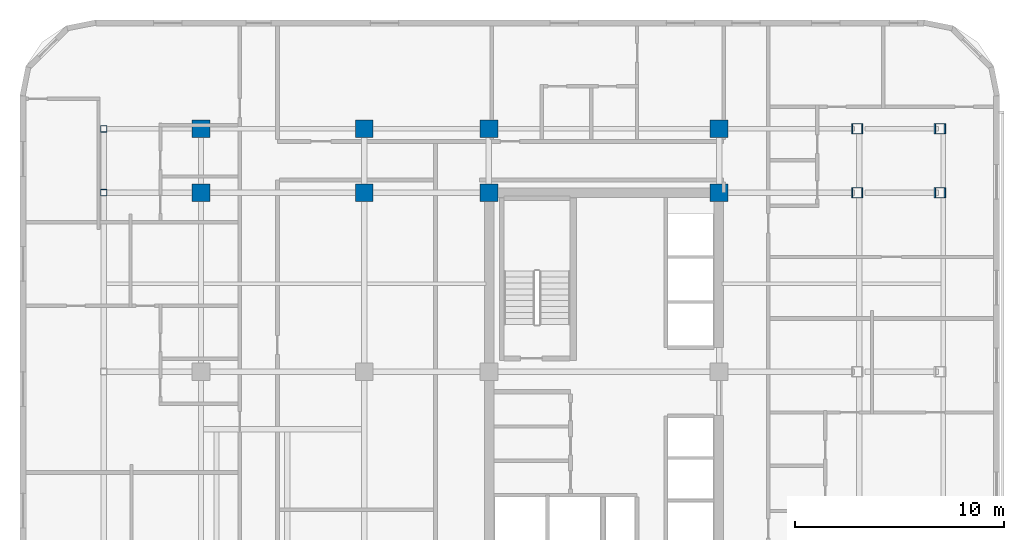
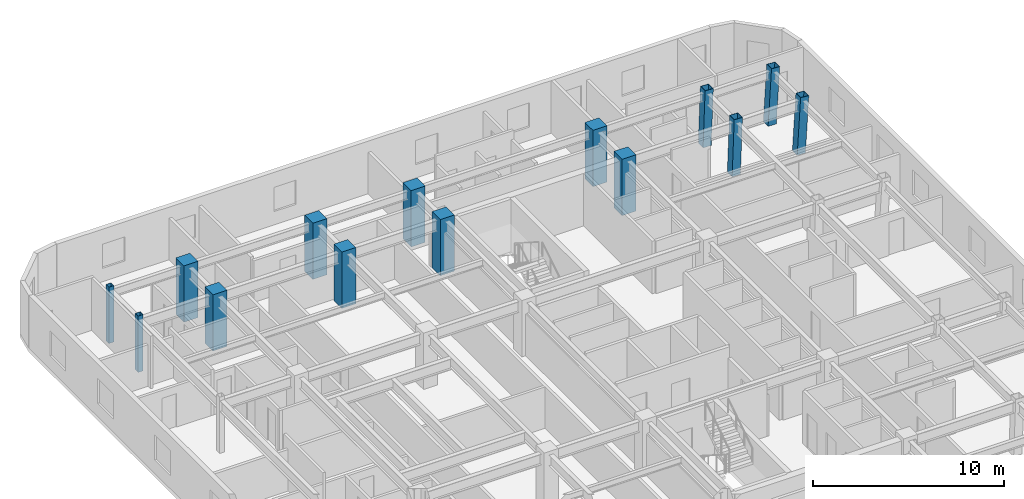
# One storey, part 3 of 14: 14 columns.
"""IFC4 building model written with IfcOpenShell, lengths in metres."""

from ifc_helpers import new_model, si_unit, direction, frame, origin, origin_2d, place, context, subcontext, project, spatial, rectangle, hollow_rectangle, extrude, material, material_profile, profile_set, type_object, element, save


model = new_model("IFC4")

# Units and contexts
model_context = context("Model", 3, precision=1e-05, world=origin(), true_north=direction((0.0, 1.0)))
body_context = subcontext(model_context, "Body", "Model", "MODEL_VIEW")
ifc_project = project(units=[si_unit("LENGTHUNIT", "METRE"), si_unit("AREAUNIT", "SQUARE_METRE"), si_unit("VOLUMEUNIT", "CUBIC_METRE"), si_unit("PLANEANGLEUNIT", "RADIAN"), si_unit("MASSUNIT", "GRAM", prefix="KILO")], contexts=[model_context])

# Site, building, storey
site_placement = place(None, origin())
site = spatial("IfcSite", under=ifc_project, at=site_placement, CompositionType="ELEMENT")
building_placement = place(site_placement, origin())
building = spatial("IfcBuilding", under=site, at=building_placement, Name="Ochreholt Gables", CompositionType="ELEMENT")
storey_placement = place(building_placement, frame((0.0, 0.0, 52.800048828125)))
storey = spatial("IfcBuildingStorey", under=building, at=storey_placement, Name="L13", CompositionType="ELEMENT", Elevation=52.800048828125)

# Columns
ifc_material_1 = material(Name="Steel CSA G40.21 350W", Category="steel")
ifc_material_profile_1 = material_profile(ifc_material_1, hollow_rectangle(XDim=0.304931640625, YDim=0.304931640625, WallThickness=0.0126953125, at=origin_2d()), Name="HSS305X305X13")
ifc_profile_set_1 = profile_set([ifc_material_profile_1], Name="Steel CSA G40.21 350W")
column_type_1 = type_object("IfcColumnType", Name="COL-HSS305-EXT", PredefinedType="COLUMN", material=ifc_profile_set_1)
for number, where, z_axis, x_axis, name in (
    (1, (5.800048828125, 38.75, 0.0), (0.0, 0.0, 1.0), (1.0, 0.0, 0.0), "L13 Column WTY5"),
    (2, (5.800048828125, 41.800048828125, 0.0), (0.0, 0.0, 1.0), (1.0, 0.0, 0.0), "L13 Column WTY6"),
):
    element("IfcColumn", number, at=place(storey_placement, frame(where, z_axis=z_axis, x_axis=x_axis)), inside=storey, type_object=column_type_1, Name=name, PredefinedType="COLUMN", context=body_context, shape_type="SweptSolid", body=[
        extrude(hollow_rectangle(XDim=0.304931640625, YDim=0.304931640625, WallThickness=0.0126953125, at=origin_2d()), origin(), (0.0, 0.0, 1.0), 3.599853515625),
    ])
ifc_material_profile_2 = material_profile(ifc_material_1, hollow_rectangle(XDim=0.5, YDim=0.5, WallThickness=0.02197265625, at=origin_2d()), Name="HSS500X500X22")
ifc_profile_set_2 = profile_set([ifc_material_profile_2], Name="Steel CSA G40.21 350W")
column_type_2 = type_object("IfcColumnType", Name="COL-HSS500-RAK", PredefinedType="COLUMN", material=ifc_profile_set_2)
column_1_placement = place(storey_placement, frame((41.783935546875, 38.75, 0.0), z_axis=(0.034973505036, 0.0, 0.999388239847), x_axis=(0.0, 1.0, 0.0)))
element("IfcColumn", 3, at=column_1_placement, inside=storey, type_object=column_type_2, Name="L13 Column EMY5", PredefinedType="COLUMN", context=body_context, shape_type="SweptSolid", body=[
    extrude(hollow_rectangle(XDim=0.5, YDim=0.5, WallThickness=0.02197265625, at=origin_2d()), origin(), (0.0, 0.0, 1.0), 3.60205078125),
])
ifc_material_profile_3 = material_profile(ifc_material_1, hollow_rectangle(XDim=0.5, YDim=0.5, WallThickness=0.02197265625, at=origin_2d()), Name="HSS500X500X22")
ifc_profile_set_3 = profile_set([ifc_material_profile_3], Name="Steel CSA G40.21 350W")
column_type_3 = type_object("IfcColumnType", Name="COL-HSS500-RAKE", PredefinedType="COLUMN", material=ifc_profile_set_3)
column_2_placement = place(storey_placement, frame((41.783935546875, 41.800048828125, 0.0), z_axis=(0.034973505036, 0.0, 0.999388239847), x_axis=(0.0, 1.0, 0.0)))
element("IfcColumn", 4, at=column_2_placement, inside=storey, type_object=column_type_3, Name="L13 Column EMY6", PredefinedType="COLUMN", context=body_context, shape_type="SweptSolid", body=[
    extrude(hollow_rectangle(XDim=0.5, YDim=0.5, WallThickness=0.02197265625, at=origin_2d()), origin(), (0.0, 0.0, 1.0), 3.60205078125),
])
for number, where, z_axis, x_axis, name in (
    (5, (45.71923828125, 38.75, 0.0), (0.057888518877, 0.0, 0.998323053617), (0.0, 1.0, 0.0), "L13 Column EEY5"),
    (6, (45.71923828125, 41.800048828125, 0.0), (0.057888518877, 0.0, 0.998323053617), (0.0, 1.0, 0.0), "L13 Column EEY6"),
):
    element("IfcColumn", number, at=place(storey_placement, frame(where, z_axis=z_axis, x_axis=x_axis)), inside=storey, type_object=column_type_3, Name=name, PredefinedType="COLUMN", context=body_context, shape_type="SweptSolid", body=[
        extrude(hollow_rectangle(XDim=0.5, YDim=0.5, WallThickness=0.02197265625, at=origin_2d()), origin(), (0.0, 0.0, 1.0), 3.60595703125),
    ])
ifc_material_2 = material(Name="Concrete 60 MPa", Category="concrete")
ifc_material_profile_4 = material_profile(ifc_material_2, rectangle(XDim=0.85009765625, YDim=0.85009765625, at=origin_2d()), Name="RC850X850")
ifc_profile_set_4 = profile_set([ifc_material_profile_4], Name="Concrete 60 MPa")
column_type_4 = type_object("IfcColumnType", Name="COL-RC850-EXT", PredefinedType="COLUMN", material=ifc_profile_set_4)
for number, where, z_axis, x_axis, name in (
    (7, (10.449951171875, 41.800048828125, 0.0), (0.0, 0.0, 1.0), (1.0, 0.0, 0.0), "L13 Column W2Y6"),
    (8, (18.25, 41.800048828125, 0.0), (0.0, 0.0, 1.0), (1.0, 0.0, 0.0), "L13 Column W3Y6"),
    (9, (24.199951171875, 41.800048828125, 0.0), (0.0, 0.0, 1.0), (1.0, 0.0, 0.0), "L13 Column C1Y6"),
    (10, (35.199951171875, 41.800048828125, 0.0), (0.0, 0.0, 1.0), (1.0, 0.0, 0.0), "L13 Column C2Y6"),
):
    element("IfcColumn", number, at=place(storey_placement, frame(where, z_axis=z_axis, x_axis=x_axis)), inside=storey, type_object=column_type_4, Name=name, PredefinedType="COLUMN", context=body_context, shape_type="SweptSolid", body=[
        extrude(rectangle(XDim=0.85009765625, YDim=0.85009765625, at=origin_2d()), origin(), (0.0, 0.0, 1.0), 3.599853515625),
    ])
ifc_material_profile_5 = material_profile(ifc_material_2, rectangle(XDim=0.85009765625, YDim=0.85009765625, at=origin_2d()), Name="RC850X850")
ifc_profile_set_5 = profile_set([ifc_material_profile_5], Name="Concrete 60 MPa")
column_type_5 = type_object("IfcColumnType", Name="COL-RC850-INT", PredefinedType="COLUMN", material=ifc_profile_set_5)
for number, where, z_axis, x_axis, name in (
    (11, (10.449951171875, 38.75, 0.0), (0.0, 0.0, 1.0), (1.0, 0.0, 0.0), "L13 Column W2Y5"),
    (12, (18.25, 38.75, 0.0), (0.0, 0.0, 1.0), (1.0, 0.0, 0.0), "L13 Column W3Y5"),
    (13, (24.199951171875, 38.75, 0.0), (0.0, 0.0, 1.0), (1.0, 0.0, 0.0), "L13 Column C1Y5"),
    (14, (35.199951171875, 38.75, 0.0), (0.0, 0.0, 1.0), (1.0, 0.0, 0.0), "L13 Column C2Y5"),
):
    element("IfcColumn", number, at=place(storey_placement, frame(where, z_axis=z_axis, x_axis=x_axis)), inside=storey, type_object=column_type_5, Name=name, PredefinedType="COLUMN", context=body_context, shape_type="SweptSolid", body=[
        extrude(rectangle(XDim=0.85009765625, YDim=0.85009765625, at=origin_2d()), origin(), (0.0, 0.0, 1.0), 3.599853515625),
    ])

save(model, "model.ifc")
